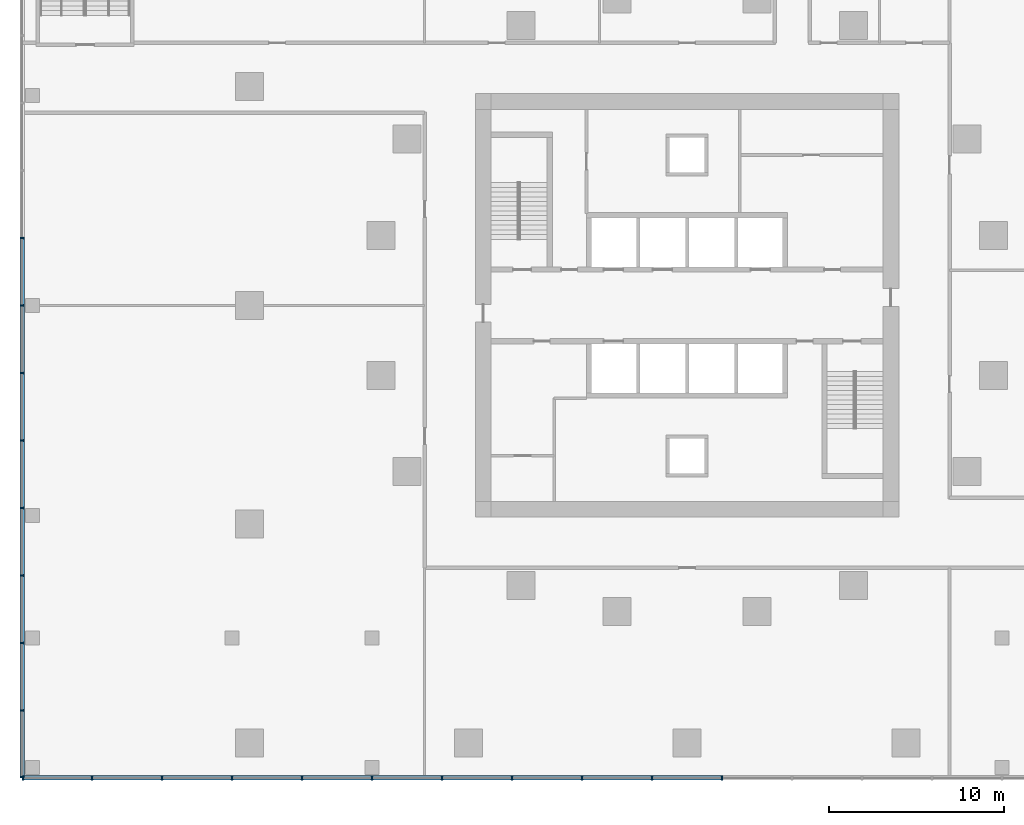
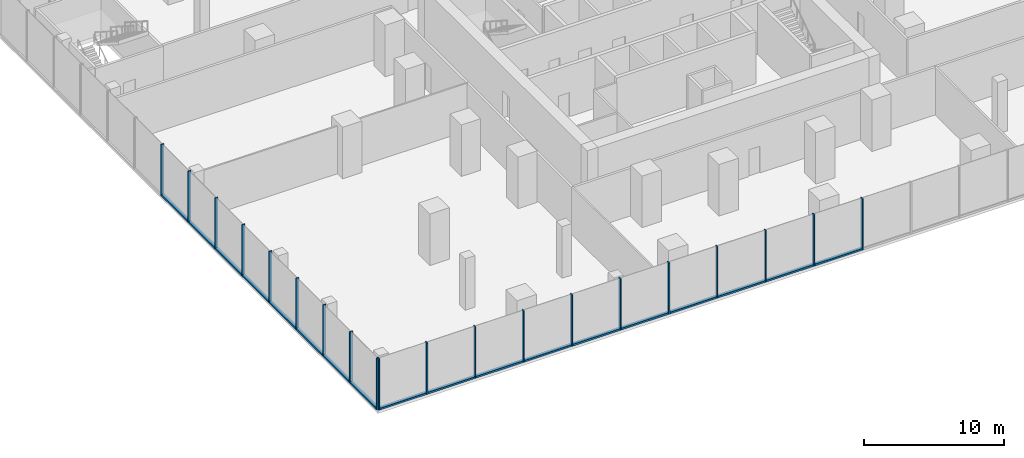
# One storey, part 2 of 15: 38 members, 2 elements without a shape of their own.
"""IFC4 building model written with IfcOpenShell, lengths in metres."""

from ifc_helpers import new_model, si_unit, direction, frame, origin, origin_2d, place, context, subcontext, project, spatial, rectangle, extrude, material, material_profile, profile_set, type_object, element, aggregate, save


model = new_model("IFC4")

# Units and contexts
model_context = context("Model", 3, precision=1e-05, world=origin(), true_north=direction((0.0, 1.0)))
body_context = subcontext(model_context, "Body", "Model", "MODEL_VIEW")
ifc_project = project(units=[si_unit("LENGTHUNIT", "METRE"), si_unit("AREAUNIT", "SQUARE_METRE"), si_unit("VOLUMEUNIT", "CUBIC_METRE"), si_unit("PLANEANGLEUNIT", "RADIAN"), si_unit("MASSUNIT", "GRAM", prefix="KILO")], contexts=[model_context])

# Site, building, storey
site_placement = place(None, origin())
site = spatial("IfcSite", under=ifc_project, at=site_placement, CompositionType="ELEMENT")
building_placement = place(site_placement, origin())
building = spatial("IfcBuilding", under=site, at=building_placement, Name="Torsade Residences", CompositionType="ELEMENT")
storey_placement = place(building_placement, frame((0.0, 0.0, 6.0)))
storey = spatial("IfcBuildingStorey", under=building, at=storey_placement, Name="L01", CompositionType="ELEMENT", Elevation=6.0)

# Curtain wall, members
ifc_material_1 = material(Name="Aluminium and glass", Category="aluminium")
curtain_wall_type = type_object("IfcCurtainWallType", Name="PODIUM CURTAIN WALL", PredefinedType="NOTDEFINED", material=ifc_material_1)
curtain_wall_1_placement = place(storey_placement, origin())
curtain_wall_1 = element("IfcCurtainWall", 1, at=curtain_wall_1_placement, inside=storey, type_object=curtain_wall_type, Name="Podium curtain wall L01 S", PredefinedType="NOTDEFINED")
ifc_material_2 = material(Name="Aluminium mullion", Category="aluminium")
ifc_material_profile_1 = material_profile(ifc_material_2, rectangle(XDim=0.25, YDim=0.090087890625, at=origin_2d()), Name="PODIUM CURTAIN WALL MULLION 250x90")
ifc_profile_set_1 = profile_set([ifc_material_profile_1], Name="Aluminium mullion")
member_type_1 = type_object("IfcMemberType", Name="PODIUM CURTAIN WALL MULLION 250x90", PredefinedType="MULLION", material=ifc_profile_set_1)
member_1_placement = place(storey_placement, frame((2.044921875, 3.0, 0.0), z_axis=(0.0, 0.0, 1.0), x_axis=(0.0, 1.0, 0.0)))
member_1 = element("IfcMember", 2, at=member_1_placement, type_object=member_type_1, Name="Mullion 1", PredefinedType="MULLION", context=body_context, shape_type="SweptSolid", body=[
    extrude(rectangle(XDim=0.25, YDim=0.090087890625, at=origin_2d()), origin(), (0.0, 0.0, 1.0), 4.5),
])
member_2_placement = place(storey_placement, frame((6.0, 3.0, 0.0), z_axis=(0.0, 0.0, 1.0), x_axis=(0.0, 1.0, 0.0)))
member_2 = element("IfcMember", 3, at=member_2_placement, type_object=member_type_1, Name="Mullion 2", PredefinedType="MULLION", context=body_context, shape_type="SweptSolid", body=[
    extrude(rectangle(XDim=0.25, YDim=0.090087890625, at=origin_2d()), origin(), (0.0, 0.0, 1.0), 4.5),
])
member_3_placement = place(storey_placement, frame((10.0, 3.0, 0.0), z_axis=(0.0, 0.0, 1.0), x_axis=(0.0, 1.0, 0.0)))
member_3 = element("IfcMember", 4, at=member_3_placement, type_object=member_type_1, Name="Mullion 3", PredefinedType="MULLION", context=body_context, shape_type="SweptSolid", body=[
    extrude(rectangle(XDim=0.25, YDim=0.090087890625, at=origin_2d()), origin(), (0.0, 0.0, 1.0), 4.5),
])
member_4_placement = place(storey_placement, frame((14.0, 3.0, 0.0), z_axis=(0.0, 0.0, 1.0), x_axis=(0.0, 1.0, 0.0)))
member_4 = element("IfcMember", 5, at=member_4_placement, type_object=member_type_1, Name="Mullion 4", PredefinedType="MULLION", context=body_context, shape_type="SweptSolid", body=[
    extrude(rectangle(XDim=0.25, YDim=0.090087890625, at=origin_2d()), origin(), (0.0, 0.0, 1.0), 4.5),
])
member_5_placement = place(storey_placement, frame((18.0, 3.0, 0.0), z_axis=(0.0, 0.0, 1.0), x_axis=(0.0, 1.0, 0.0)))
member_5 = element("IfcMember", 6, at=member_5_placement, type_object=member_type_1, Name="Mullion 5", PredefinedType="MULLION", context=body_context, shape_type="SweptSolid", body=[
    extrude(rectangle(XDim=0.25, YDim=0.090087890625, at=origin_2d()), origin(), (0.0, 0.0, 1.0), 4.5),
])
member_6_placement = place(storey_placement, frame((22.0, 3.0, 0.0), z_axis=(0.0, 0.0, 1.0), x_axis=(0.0, 1.0, 0.0)))
member_6 = element("IfcMember", 7, at=member_6_placement, type_object=member_type_1, Name="Mullion 6", PredefinedType="MULLION", context=body_context, shape_type="SweptSolid", body=[
    extrude(rectangle(XDim=0.25, YDim=0.090087890625, at=origin_2d()), origin(), (0.0, 0.0, 1.0), 4.5),
])
member_7_placement = place(storey_placement, frame((26.0, 3.0, 0.0), z_axis=(0.0, 0.0, 1.0), x_axis=(0.0, 1.0, 0.0)))
member_7 = element("IfcMember", 8, at=member_7_placement, type_object=member_type_1, Name="Mullion 7", PredefinedType="MULLION", context=body_context, shape_type="SweptSolid", body=[
    extrude(rectangle(XDim=0.25, YDim=0.090087890625, at=origin_2d()), origin(), (0.0, 0.0, 1.0), 4.5),
])
member_8_placement = place(storey_placement, frame((30.0, 3.0, 0.0), z_axis=(0.0, 0.0, 1.0), x_axis=(0.0, 1.0, 0.0)))
member_8 = element("IfcMember", 9, at=member_8_placement, type_object=member_type_1, Name="Mullion 8", PredefinedType="MULLION", context=body_context, shape_type="SweptSolid", body=[
    extrude(rectangle(XDim=0.25, YDim=0.090087890625, at=origin_2d()), origin(), (0.0, 0.0, 1.0), 4.5),
])
member_9_placement = place(storey_placement, frame((34.0, 3.0, 0.0), z_axis=(0.0, 0.0, 1.0), x_axis=(0.0, 1.0, 0.0)))
member_9 = element("IfcMember", 10, at=member_9_placement, type_object=member_type_1, Name="Mullion 9", PredefinedType="MULLION", context=body_context, shape_type="SweptSolid", body=[
    extrude(rectangle(XDim=0.25, YDim=0.090087890625, at=origin_2d()), origin(), (0.0, 0.0, 1.0), 4.5),
])
member_10_placement = place(storey_placement, frame((38.0, 3.0, 0.0), z_axis=(0.0, 0.0, 1.0), x_axis=(0.0, 1.0, 0.0)))
member_10 = element("IfcMember", 11, at=member_10_placement, type_object=member_type_1, Name="Mullion 10", PredefinedType="MULLION", context=body_context, shape_type="SweptSolid", body=[
    extrude(rectangle(XDim=0.25, YDim=0.090087890625, at=origin_2d()), origin(), (0.0, 0.0, 1.0), 4.5),
])
member_11_placement = place(storey_placement, frame((42.0, 3.0, 0.0), z_axis=(0.0, 0.0, 1.0), x_axis=(0.0, 1.0, 0.0)))
member_11 = element("IfcMember", 12, at=member_11_placement, type_object=member_type_1, Name="Mullion 11", PredefinedType="MULLION", context=body_context, shape_type="SweptSolid", body=[
    extrude(rectangle(XDim=0.25, YDim=0.090087890625, at=origin_2d()), origin(), (0.0, 0.0, 1.0), 4.5),
])

curtain_wall_2_placement = place(storey_placement, origin())
curtain_wall_2 = element("IfcCurtainWall", 13, at=curtain_wall_2_placement, inside=storey, type_object=curtain_wall_type, Name="Podium curtain wall L01 W", PredefinedType="NOTDEFINED")
member_12_placement = place(storey_placement, frame((2.0, 33.857177734375, 0.0), z_axis=(0.0, 0.0, 1.0), x_axis=(1.0, 0.0, 0.0)))
member_12 = element("IfcMember", 14, at=member_12_placement, type_object=member_type_1, Name="Mullion 7", PredefinedType="MULLION", context=body_context, shape_type="SweptSolid", body=[
    extrude(rectangle(XDim=0.25, YDim=0.090087890625, at=origin_2d()), origin(), (0.0, 0.0, 1.0), 4.5),
])
member_13_placement = place(storey_placement, frame((2.0, 30.0, 0.0), z_axis=(0.0, 0.0, 1.0), x_axis=(1.0, 0.0, 0.0)))
member_13 = element("IfcMember", 15, at=member_13_placement, type_object=member_type_1, Name="Mullion 8", PredefinedType="MULLION", context=body_context, shape_type="SweptSolid", body=[
    extrude(rectangle(XDim=0.25, YDim=0.090087890625, at=origin_2d()), origin(), (0.0, 0.0, 1.0), 4.5),
])
member_14_placement = place(storey_placement, frame((2.0, 26.142822265625, 0.0), z_axis=(0.0, 0.0, 1.0), x_axis=(1.0, 0.0, 0.0)))
member_14 = element("IfcMember", 16, at=member_14_placement, type_object=member_type_1, Name="Mullion 9", PredefinedType="MULLION", context=body_context, shape_type="SweptSolid", body=[
    extrude(rectangle(XDim=0.25, YDim=0.090087890625, at=origin_2d()), origin(), (0.0, 0.0, 1.0), 4.5),
])
member_15_placement = place(storey_placement, frame((2.0, 22.28564453125, 0.0), z_axis=(0.0, 0.0, 1.0), x_axis=(1.0, 0.0, 0.0)))
member_15 = element("IfcMember", 17, at=member_15_placement, type_object=member_type_1, Name="Mullion 10", PredefinedType="MULLION", context=body_context, shape_type="SweptSolid", body=[
    extrude(rectangle(XDim=0.25, YDim=0.090087890625, at=origin_2d()), origin(), (0.0, 0.0, 1.0), 4.5),
])
member_16_placement = place(storey_placement, frame((2.0, 18.428466796875, 0.0), z_axis=(0.0, 0.0, 1.0), x_axis=(1.0, 0.0, 0.0)))
member_16 = element("IfcMember", 18, at=member_16_placement, type_object=member_type_1, Name="Mullion 11", PredefinedType="MULLION", context=body_context, shape_type="SweptSolid", body=[
    extrude(rectangle(XDim=0.25, YDim=0.090087890625, at=origin_2d()), origin(), (0.0, 0.0, 1.0), 4.5),
])
member_17_placement = place(storey_placement, frame((2.0, 14.571533203125, 0.0), z_axis=(0.0, 0.0, 1.0), x_axis=(1.0, 0.0, 0.0)))
member_17 = element("IfcMember", 19, at=member_17_placement, type_object=member_type_1, Name="Mullion 12", PredefinedType="MULLION", context=body_context, shape_type="SweptSolid", body=[
    extrude(rectangle(XDim=0.25, YDim=0.090087890625, at=origin_2d()), origin(), (0.0, 0.0, 1.0), 4.5),
])
member_18_placement = place(storey_placement, frame((2.0, 10.71435546875, 0.0), z_axis=(0.0, 0.0, 1.0), x_axis=(1.0, 0.0, 0.0)))
member_18 = element("IfcMember", 20, at=member_18_placement, type_object=member_type_1, Name="Mullion 13", PredefinedType="MULLION", context=body_context, shape_type="SweptSolid", body=[
    extrude(rectangle(XDim=0.25, YDim=0.090087890625, at=origin_2d()), origin(), (0.0, 0.0, 1.0), 4.5),
])
member_19_placement = place(storey_placement, frame((2.0, 6.857177734375, 0.0), z_axis=(0.0, 0.0, 1.0), x_axis=(1.0, 0.0, 0.0)))
member_19 = element("IfcMember", 21, at=member_19_placement, type_object=member_type_1, Name="Mullion 14", PredefinedType="MULLION", context=body_context, shape_type="SweptSolid", body=[
    extrude(rectangle(XDim=0.25, YDim=0.090087890625, at=origin_2d()), origin(), (0.0, 0.0, 1.0), 4.5),
])
member_20_placement = place(storey_placement, frame((2.0, 3.044921875, 0.0), z_axis=(0.0, 0.0, 1.0), x_axis=(1.0, 0.0, 0.0)))
member_20 = element("IfcMember", 22, at=member_20_placement, type_object=member_type_1, Name="Mullion 15", PredefinedType="MULLION", context=body_context, shape_type="SweptSolid", body=[
    extrude(rectangle(XDim=0.25, YDim=0.090087890625, at=origin_2d()), origin(), (0.0, 0.0, 1.0), 4.5),
])

# Member
ifc_material_3 = material(Name="Aluminium transom", Category="aluminium")
ifc_material_profile_2 = material_profile(ifc_material_3, rectangle(XDim=0.25, YDim=0.14990234375, at=origin_2d()), Name="PODIUM CURTAIN WALL TRANSOM 250x150")
ifc_profile_set_2 = profile_set([ifc_material_profile_2], Name="Aluminium transom")
member_type_2 = type_object("IfcMemberType", Name="PODIUM CURTAIN WALL TRANSOM 250x150", PredefinedType="USERDEFINED", material=ifc_profile_set_2)
member_21_placement = place(storey_placement, frame((2.090087890625, 3.0, 0.074951171875), z_axis=(1.0, 0.0, 0.0), x_axis=(0.0, 1.0, 0.0)))
member_21 = element("IfcMember", 23, at=member_21_placement, type_object=member_type_2, Name="Transom 1.1", ObjectType="TRANSOM", PredefinedType="USERDEFINED", context=body_context, shape_type="SweptSolid", body=[
    extrude(rectangle(XDim=0.25, YDim=0.14990234375, at=origin_2d()), origin(), (0.0, 0.0, 1.0), 3.864990234375),
])

member_22_placement = place(storey_placement, frame((6.044921875, 3.0, 0.074951171875), z_axis=(1.0, 0.0, 0.0), x_axis=(0.0, 1.0, 0.0)))
member_22 = element("IfcMember", 24, at=member_22_placement, type_object=member_type_2, Name="Transom 2.1", ObjectType="TRANSOM", PredefinedType="USERDEFINED", context=body_context, shape_type="SweptSolid", body=[
    extrude(rectangle(XDim=0.25, YDim=0.14990234375, at=origin_2d()), origin(), (0.0, 0.0, 1.0), 3.91015625),
])

member_23_placement = place(storey_placement, frame((10.044921875, 3.0, 0.074951171875), z_axis=(1.0, 0.0, 0.0), x_axis=(0.0, 1.0, 0.0)))
member_23 = element("IfcMember", 25, at=member_23_placement, type_object=member_type_2, Name="Transom 3.1", ObjectType="TRANSOM", PredefinedType="USERDEFINED", context=body_context, shape_type="SweptSolid", body=[
    extrude(rectangle(XDim=0.25, YDim=0.14990234375, at=origin_2d()), origin(), (0.0, 0.0, 1.0), 3.91015625),
])

member_24_placement = place(storey_placement, frame((14.044921875, 3.0, 0.074951171875), z_axis=(1.0, 0.0, 0.0), x_axis=(0.0, 1.0, 0.0)))
member_24 = element("IfcMember", 26, at=member_24_placement, type_object=member_type_2, Name="Transom 4.1", ObjectType="TRANSOM", PredefinedType="USERDEFINED", context=body_context, shape_type="SweptSolid", body=[
    extrude(rectangle(XDim=0.25, YDim=0.14990234375, at=origin_2d()), origin(), (0.0, 0.0, 1.0), 3.91015625),
])

member_25_placement = place(storey_placement, frame((18.044921875, 3.0, 0.074951171875), z_axis=(1.0, 0.0, 0.0), x_axis=(0.0, 1.0, 0.0)))
member_25 = element("IfcMember", 27, at=member_25_placement, type_object=member_type_2, Name="Transom 5.1", ObjectType="TRANSOM", PredefinedType="USERDEFINED", context=body_context, shape_type="SweptSolid", body=[
    extrude(rectangle(XDim=0.25, YDim=0.14990234375, at=origin_2d()), origin(), (0.0, 0.0, 1.0), 3.91015625),
])

member_26_placement = place(storey_placement, frame((22.044921875, 3.0, 0.074951171875), z_axis=(1.0, 0.0, 0.0), x_axis=(0.0, 1.0, 0.0)))
member_26 = element("IfcMember", 28, at=member_26_placement, type_object=member_type_2, Name="Transom 6.1", ObjectType="TRANSOM", PredefinedType="USERDEFINED", context=body_context, shape_type="SweptSolid", body=[
    extrude(rectangle(XDim=0.25, YDim=0.14990234375, at=origin_2d()), origin(), (0.0, 0.0, 1.0), 3.91015625),
])

member_27_placement = place(storey_placement, frame((26.044921875, 3.0, 0.074951171875), z_axis=(1.0, 0.0, 0.0), x_axis=(0.0, 1.0, 0.0)))
member_27 = element("IfcMember", 29, at=member_27_placement, type_object=member_type_2, Name="Transom 7.1", ObjectType="TRANSOM", PredefinedType="USERDEFINED", context=body_context, shape_type="SweptSolid", body=[
    extrude(rectangle(XDim=0.25, YDim=0.14990234375, at=origin_2d()), origin(), (0.0, 0.0, 1.0), 3.91015625),
])

member_28_placement = place(storey_placement, frame((30.044921875, 3.0, 0.074951171875), z_axis=(1.0, 0.0, 0.0), x_axis=(0.0, 1.0, 0.0)))
member_28 = element("IfcMember", 30, at=member_28_placement, type_object=member_type_2, Name="Transom 8.1", ObjectType="TRANSOM", PredefinedType="USERDEFINED", context=body_context, shape_type="SweptSolid", body=[
    extrude(rectangle(XDim=0.25, YDim=0.14990234375, at=origin_2d()), origin(), (0.0, 0.0, 1.0), 3.91015625),
])

member_29_placement = place(storey_placement, frame((34.044921875, 3.0, 0.074951171875), z_axis=(1.0, 0.0, 0.0), x_axis=(0.0, 1.0, 0.0)))
member_29 = element("IfcMember", 31, at=member_29_placement, type_object=member_type_2, Name="Transom 9.1", ObjectType="TRANSOM", PredefinedType="USERDEFINED", context=body_context, shape_type="SweptSolid", body=[
    extrude(rectangle(XDim=0.25, YDim=0.14990234375, at=origin_2d()), origin(), (0.0, 0.0, 1.0), 3.91015625),
])

member_30_placement = place(storey_placement, frame((38.044921875, 3.0, 0.074951171875), z_axis=(1.0, 0.0, 0.0), x_axis=(0.0, 1.0, 0.0)))
member_30 = element("IfcMember", 32, at=member_30_placement, type_object=member_type_2, Name="Transom 10.1", ObjectType="TRANSOM", PredefinedType="USERDEFINED", context=body_context, shape_type="SweptSolid", body=[
    extrude(rectangle(XDim=0.25, YDim=0.14990234375, at=origin_2d()), origin(), (0.0, 0.0, 1.0), 3.91015625),
])

aggregate(curtain_wall_1, [member_1, member_2, member_3, member_4, member_5, member_6, member_7, member_8, member_9, member_10, member_11, member_21, member_22, member_23, member_24, member_25, member_26, member_27, member_28, member_29, member_30])

member_31_placement = place(storey_placement, frame((2.0, 33.812255859375, 0.074951171875), z_axis=(0.0, -1.0, 0.0), x_axis=(1.0, 0.0, 0.0)))
member_31 = element("IfcMember", 33, at=member_31_placement, type_object=member_type_2, Name="Transom 7.1", ObjectType="TRANSOM", PredefinedType="USERDEFINED", context=body_context, shape_type="SweptSolid", body=[
    extrude(rectangle(XDim=0.25, YDim=0.14990234375, at=origin_2d()), origin(), (0.0, 0.0, 1.0), 3.767333984375),
])

member_32_placement = place(storey_placement, frame((2.0, 29.955078125, 0.074951171875), z_axis=(0.0, -1.0, 0.0), x_axis=(1.0, 0.0, 0.0)))
member_32 = element("IfcMember", 34, at=member_32_placement, type_object=member_type_2, Name="Transom 8.1", ObjectType="TRANSOM", PredefinedType="USERDEFINED", context=body_context, shape_type="SweptSolid", body=[
    extrude(rectangle(XDim=0.25, YDim=0.14990234375, at=origin_2d()), origin(), (0.0, 0.0, 1.0), 3.767333984375),
])

member_33_placement = place(storey_placement, frame((2.0, 26.097900390625, 0.074951171875), z_axis=(0.0, -1.0, 0.0), x_axis=(1.0, 0.0, 0.0)))
member_33 = element("IfcMember", 35, at=member_33_placement, type_object=member_type_2, Name="Transom 9.1", ObjectType="TRANSOM", PredefinedType="USERDEFINED", context=body_context, shape_type="SweptSolid", body=[
    extrude(rectangle(XDim=0.25, YDim=0.14990234375, at=origin_2d()), origin(), (0.0, 0.0, 1.0), 3.76708984375),
])

member_34_placement = place(storey_placement, frame((2.0, 22.24072265625, 0.074951171875), z_axis=(0.0, -1.0, 0.0), x_axis=(1.0, 0.0, 0.0)))
member_34 = element("IfcMember", 36, at=member_34_placement, type_object=member_type_2, Name="Transom 10.1", ObjectType="TRANSOM", PredefinedType="USERDEFINED", context=body_context, shape_type="SweptSolid", body=[
    extrude(rectangle(XDim=0.25, YDim=0.14990234375, at=origin_2d()), origin(), (0.0, 0.0, 1.0), 3.76708984375),
])

member_35_placement = place(storey_placement, frame((2.0, 18.383544921875, 0.074951171875), z_axis=(0.0, -1.0, 0.0), x_axis=(1.0, 0.0, 0.0)))
member_35 = element("IfcMember", 37, at=member_35_placement, type_object=member_type_2, Name="Transom 11.1", ObjectType="TRANSOM", PredefinedType="USERDEFINED", context=body_context, shape_type="SweptSolid", body=[
    extrude(rectangle(XDim=0.25, YDim=0.14990234375, at=origin_2d()), origin(), (0.0, 0.0, 1.0), 3.76708984375),
])

member_36_placement = place(storey_placement, frame((2.0, 14.5263671875, 0.074951171875), z_axis=(0.0, -1.0, 0.0), x_axis=(1.0, 0.0, 0.0)))
member_36 = element("IfcMember", 38, at=member_36_placement, type_object=member_type_2, Name="Transom 12.1", ObjectType="TRANSOM", PredefinedType="USERDEFINED", context=body_context, shape_type="SweptSolid", body=[
    extrude(rectangle(XDim=0.25, YDim=0.14990234375, at=origin_2d()), origin(), (0.0, 0.0, 1.0), 3.76708984375),
])

member_37_placement = place(storey_placement, frame((2.0, 10.669189453125, 0.074951171875), z_axis=(0.0, -1.0, 0.0), x_axis=(1.0, 0.0, 0.0)))
member_37 = element("IfcMember", 39, at=member_37_placement, type_object=member_type_2, Name="Transom 13.1", ObjectType="TRANSOM", PredefinedType="USERDEFINED", context=body_context, shape_type="SweptSolid", body=[
    extrude(rectangle(XDim=0.25, YDim=0.14990234375, at=origin_2d()), origin(), (0.0, 0.0, 1.0), 3.76708984375),
])

member_38_placement = place(storey_placement, frame((2.0, 6.812255859375, 0.074951171875), z_axis=(0.0, -1.0, 0.0), x_axis=(1.0, 0.0, 0.0)))
member_38 = element("IfcMember", 40, at=member_38_placement, type_object=member_type_2, Name="Transom 14.1", ObjectType="TRANSOM", PredefinedType="USERDEFINED", context=body_context, shape_type="SweptSolid", body=[
    extrude(rectangle(XDim=0.25, YDim=0.14990234375, at=origin_2d()), origin(), (0.0, 0.0, 1.0), 3.72216796875),
])

aggregate(curtain_wall_2, [member_12, member_13, member_14, member_15, member_16, member_17, member_18, member_19, member_20, member_31, member_32, member_33, member_34, member_35, member_36, member_37, member_38])

save(model, "model.ifc")
